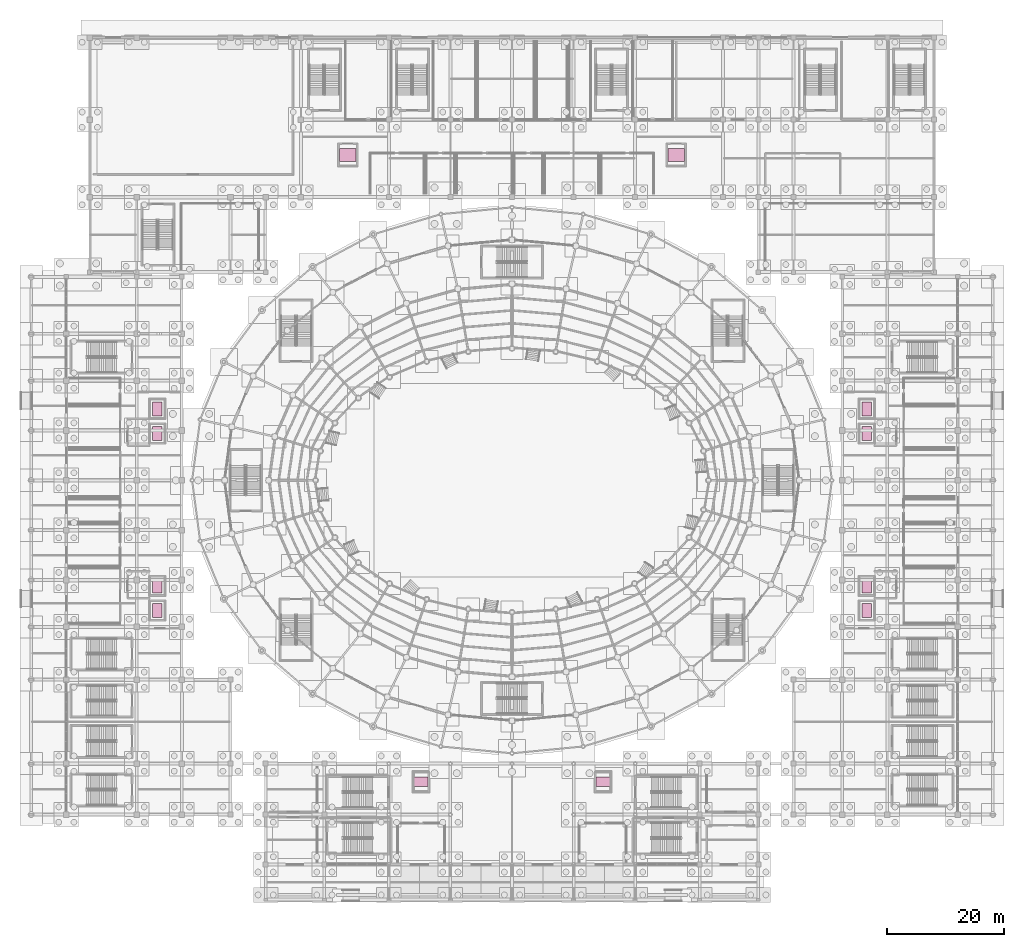
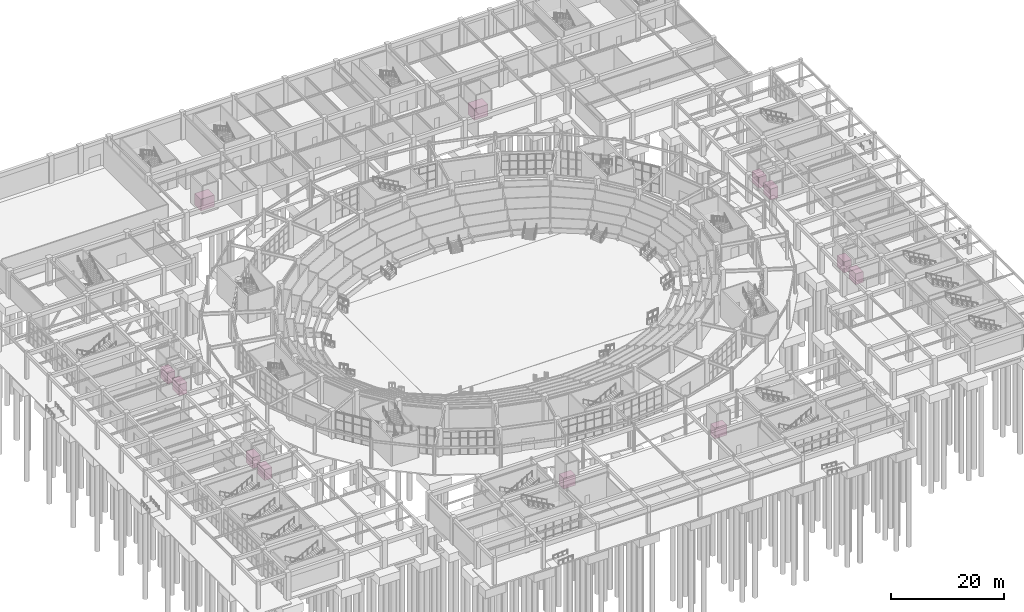
# One storey, part 121 of 121: 12 transport elements.
"""IFC4 building model written with IfcOpenShell, lengths in metres."""

from ifc_helpers import new_model, si_unit, direction, frame, origin, origin_2d, place, context, subcontext, project, spatial, rectangle, extrude, material, type_object, element, save


model = new_model("IFC4")

# Units and contexts
model_context = context("Model", 3, precision=1e-05, world=origin(), true_north=direction((0.0, 1.0)))
body_context = subcontext(model_context, "Body", "Model", "MODEL_VIEW")
ifc_project = project(units=[si_unit("LENGTHUNIT", "METRE"), si_unit("AREAUNIT", "SQUARE_METRE"), si_unit("VOLUMEUNIT", "CUBIC_METRE"), si_unit("PLANEANGLEUNIT", "RADIAN"), si_unit("MASSUNIT", "GRAM", prefix="KILO")], contexts=[model_context])

# Site, building, storey
site_placement = place(None, origin())
site = spatial("IfcSite", under=ifc_project, at=site_placement, CompositionType="ELEMENT")
building_placement = place(site_placement, origin())
building = spatial("IfcBuilding", under=site, at=building_placement, Name="Cuetzalor Civic Arena", CompositionType="ELEMENT")
storey_placement = place(building_placement, origin())
storey = spatial("IfcBuildingStorey", under=building, at=storey_placement, Name="L00", CompositionType="ELEMENT", Elevation=0.0)

# Transport elements
ifc_material_1 = material(Name="Brushed stainless steel lift car", Category="steel")
transport_element_type_1 = type_object("IfcTransportElementType", Name="FirefightingStretcherLift_2000kg", PredefinedType="ELEVATOR", material=ifc_material_1)
for number, where, z_axis, x_axis, name in (
    (1, (-60.5, -18.0, 0.0), (0.0, 0.0, 1.0), (-1.0, 0.0, 0.0), "Firefighting Lift LF-01"),
    (2, (-60.5, 8.0, 0.0), (0.0, 0.0, 1.0), (-1.0, 0.0, 0.0), "Firefighting Lift LF-02"),
    (3, (60.5, -18.0, 0.0), (0.0, 0.0, 1.0), (1.0, 0.0, 0.0), "Firefighting Lift LF-03"),
    (4, (60.5, 8.0, 0.0), (0.0, 0.0, 1.0), (1.0, 0.0, 0.0), "Firefighting Lift LF-04"),
):
    element("IfcTransportElement", number, at=place(storey_placement, frame(where, z_axis=z_axis, x_axis=x_axis)), inside=storey, type_object=transport_element_type_1, Name=name, PredefinedType="ELEVATOR", context=body_context, shape_type="SweptSolid", body=[
        extrude(rectangle(XDim=1.60009765625, YDim=2.39990234375, at=origin_2d()), origin(), (0.0, 0.0, 1.0), 2.39990234375),
    ])
ifc_material_2 = material(Name="Heavy-duty stainless steel freight lift car", Category="steel")
transport_element_type_2 = type_object("IfcTransportElementType", Name="FreightServiceLift_3500kg", PredefinedType="ELEVATOR", material=ifc_material_2)
for number, where, z_axis, x_axis, name in (
    (5, (-28.0, 55.5, 0.0), (0.0, 0.0, 1.0), (0.0, 1.0, 0.0), "Freight Lift LS-01"),
    (6, (28.0, 55.5, 0.0), (0.0, 0.0, 1.0), (0.0, 1.0, 0.0), "Freight Lift LS-02"),
):
    element("IfcTransportElement", number, at=place(storey_placement, frame(where, z_axis=z_axis, x_axis=x_axis)), inside=storey, type_object=transport_element_type_2, Name=name, PredefinedType="ELEVATOR", context=body_context, shape_type="SweptSolid", body=[
        extrude(rectangle(XDim=2.199951171875, YDim=2.800048828125, at=origin_2d()), origin(), (0.0, 0.0, 1.0), 2.5),
    ])
ifc_material_3 = material(Name="Bronze and stainless steel passenger lift car", Category="steel")
transport_element_type_3 = type_object("IfcTransportElementType", Name="PublicPassengerLift_1800kg", PredefinedType="ELEVATOR", material=ifc_material_3)
for number, where, z_axis, x_axis, name in (
    (7, (-15.5, -51.39990234375, 0.0), (0.0, 0.0, 1.0), (0.0, -1.0, 0.0), "Passenger Lift LP-01"),
    (8, (15.5, -51.39990234375, 0.0), (0.0, 0.0, 1.0), (0.0, -1.0, 0.0), "Passenger Lift LP-02"),
    (9, (-60.5, -22.199951171875, 0.0), (0.0, 0.0, 1.0), (-1.0, 0.0, 0.0), "Passenger Lift LP-03"),
    (10, (-60.5, 12.199951171875, 0.0), (0.0, 0.0, 1.0), (-1.0, 0.0, 0.0), "Passenger Lift LP-04"),
    (11, (60.5, -22.199951171875, 0.0), (0.0, 0.0, 1.0), (1.0, 0.0, 0.0), "Passenger Lift LP-05"),
    (12, (60.5, 12.199951171875, 0.0), (0.0, 0.0, 1.0), (1.0, 0.0, 0.0), "Passenger Lift LP-06"),
):
    element("IfcTransportElement", number, at=place(storey_placement, frame(where, z_axis=z_axis, x_axis=x_axis)), inside=storey, type_object=transport_element_type_3, Name=name, PredefinedType="ELEVATOR", context=body_context, shape_type="SweptSolid", body=[
        extrude(rectangle(XDim=1.60009765625, YDim=2.39990234375, at=origin_2d()), origin(), (0.0, 0.0, 1.0), 2.35009765625),
    ])

save(model, "model.ifc")
